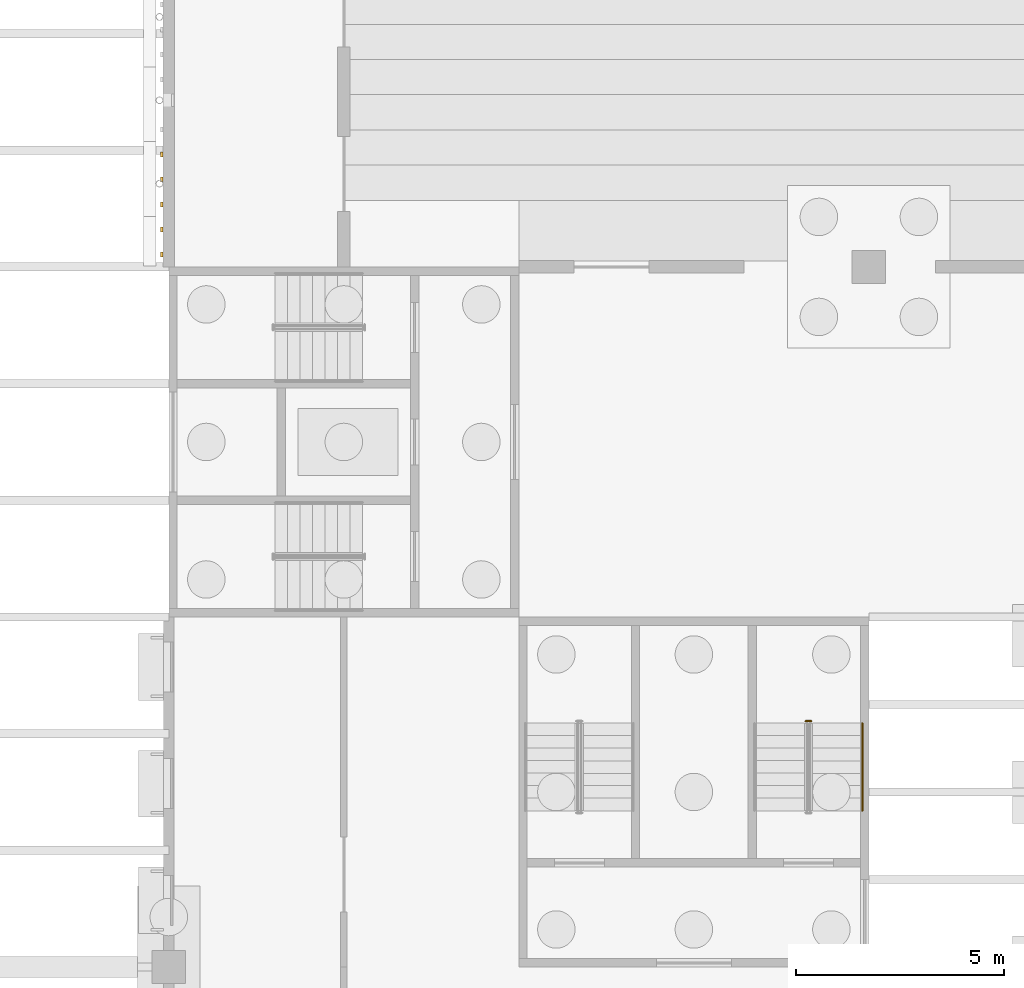
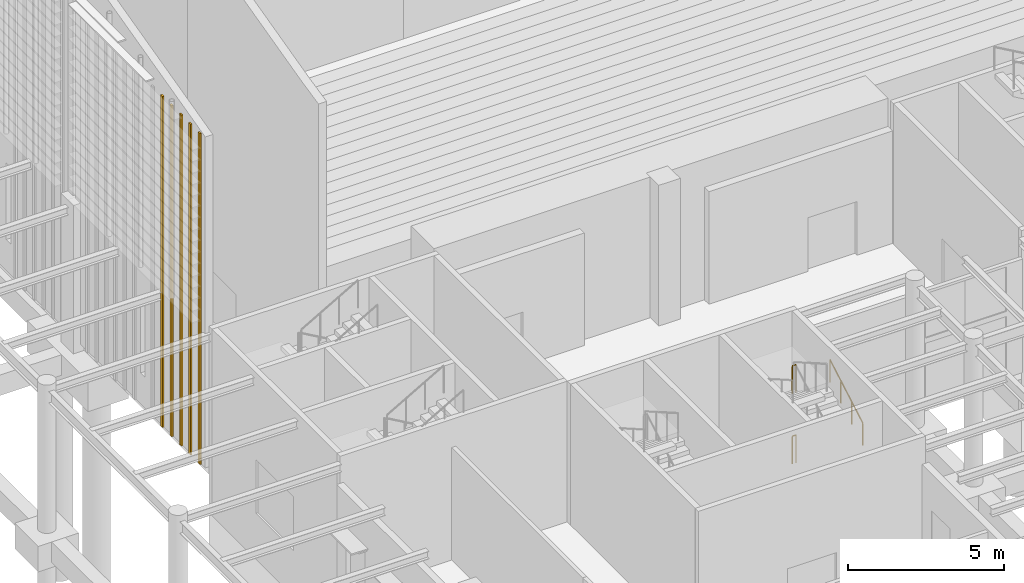
# One storey, part 62 of 82: 5 shading devices, 3 railings.
"""IFC4 building model written with IfcOpenShell, lengths in metres."""

from ifc_helpers import new_model, si_unit, direction, frame, origin, origin_2d, place, context, subcontext, project, spatial, rectangle, circle, extrude, material, material_profile, profile_set, type_object, element, save


model = new_model("IFC4")

# Units and contexts
model_context = context("Model", 3, precision=1e-05, world=origin(), true_north=direction((0.0, 1.0)))
body_context = subcontext(model_context, "Body", "Model", "MODEL_VIEW")
ifc_project = project(units=[si_unit("LENGTHUNIT", "METRE"), si_unit("AREAUNIT", "SQUARE_METRE"), si_unit("VOLUMEUNIT", "CUBIC_METRE"), si_unit("PLANEANGLEUNIT", "RADIAN"), si_unit("MASSUNIT", "GRAM", prefix="KILO")], contexts=[model_context])

# Site, building, storey
site_placement = place(None, origin())
site = spatial("IfcSite", under=ifc_project, at=site_placement, CompositionType="ELEMENT")
building_placement = place(site_placement, origin())
building = spatial("IfcBuilding", under=site, at=building_placement, Name="Almond Square Museum", CompositionType="ELEMENT")
storey_placement = place(building_placement, origin())
storey = spatial("IfcBuildingStorey", under=building, at=storey_placement, Name="L00", CompositionType="ELEMENT", Elevation=0.0)

# Railings
ifc_material_1 = material(Name="Stainless steel and laminated glass", Category="steel")
railing_type_1 = type_object("IfcRailingType", Name="Stair guard 1100 steel and glass", PredefinedType="GUARDRAIL", material=ifc_material_1)
for number, where, name in (
    (1, (21.419921875, 73.10009765625, 1.375), "L00 ST-24 stair guard 2"),
    (2, (21.419921875, 73.10009765625, 4.125), "L00 ST-24 stair guard 6"),
):
    element("IfcRailing", number, at=place(storey_placement, frame(where)), inside=storey, type_object=railing_type_1, Name=name, PredefinedType="GUARDRAIL", context=body_context, shape_type="SweptSolid", body=[
        extrude(circle(Radius=0.02392578125, at=origin_2d()), frame((0.0, 0.0, 1.076171875), z_axis=(-1.0, 0.0, 0.0), x_axis=(0.0, -1.0, 0.0)), (0.0, 0.0, 1.0), 0.139892578125),
        extrude(circle(Radius=0.02099609375, at=origin_2d()), origin(), (0.0, 0.0, 1.0), 1.052001953125),
        extrude(circle(Radius=0.02099609375, at=origin_2d()), frame((-0.139892578125, 0.0, 0.0)), (0.0, 0.0, 1.0), 1.052001953125),
    ])
ifc_material_2 = material(Name="Stainless steel", Category="steel")
railing_type_2 = type_object("IfcRailingType", Name="Stair handrail 900 steel", PredefinedType="HANDRAIL", material=ifc_material_2)
railing_placement = place(storey_placement, frame((22.64501953125, 70.949951171875, 2.921875)))
element("IfcRailing", 3, at=railing_placement, inside=storey, type_object=railing_type_2, Name="L00 ST-24 stair handrail 3", PredefinedType="HANDRAIL", context=body_context, shape_type="SweptSolid", body=[
    extrude(circle(Radius=0.02392578125, at=origin_2d()), frame((0.0, 0.0, 0.8759765625), z_axis=(0.0, 0.867696358075, 0.497094588769), x_axis=(-1.0, 0.0, 0.0)), (0.0, 0.0, 1.0), 2.42041015625),
    extrude(circle(Radius=0.02099609375, at=origin_2d()), origin(), (0.0, 0.0, 1.0), 0.851806640625),
    extrude(circle(Radius=0.02099609375, at=origin_2d()), frame((0.0, 0.699951171875, 0.401123046875)), (0.0, 0.0, 1.0), 0.851806640625),
    extrude(circle(Radius=0.02099609375, at=origin_2d()), frame((0.0, 1.400146484375, 0.802001953125)), (0.0, 0.0, 1.0), 0.851806640625),
    extrude(circle(Radius=0.02099609375, at=origin_2d()), frame((0.0, 2.10009765625, 1.203125)), (0.0, 0.0, 1.0), 0.851806640625),
])

# Shading devices
ifc_material_3 = material(Name="Cedar timber batten", Category="wood")
ifc_material_profile = material_profile(ifc_material_3, rectangle(XDim=0.06005859375, YDim=0.1201171875, at=origin_2d()))
ifc_profile_set = profile_set([ifc_material_profile], Name="Cedar timber batten")
shading_device_type = type_object("IfcShadingDeviceType", Name="Vertical timber batten 60 x 120", PredefinedType="USERDEFINED", material=ifc_profile_set)
for number, where, z_axis, x_axis, name in (
    (4, (5.83203125, 84.300048828125, 0.0), (0.0, 0.0, 1.0), (-1.0, 0.0, 0.0), "Timber batten"),
    (5, (5.83203125, 84.89990234375, 0.0), (0.0, 0.0, 1.0), (-1.0, 0.0, 0.0), "Timber batten"),
    (6, (5.83203125, 85.5, 0.0), (0.0, 0.0, 1.0), (-1.0, 0.0, 0.0), "Timber batten"),
    (7, (5.83203125, 86.10009765625, 0.0), (0.0, 0.0, 1.0), (-1.0, 0.0, 0.0), "Timber batten"),
    (8, (5.83203125, 86.699951171875, 0.0), (0.0, 0.0, 1.0), (-1.0, 0.0, 0.0), "Timber batten"),
):
    element("IfcShadingDevice", number, at=place(storey_placement, frame(where, z_axis=z_axis, x_axis=x_axis)), inside=storey, type_object=shading_device_type, Name=name, ObjectType="FIN", PredefinedType="USERDEFINED", context=body_context, shape_type="SweptSolid", body=[
        extrude(rectangle(XDim=0.06005859375, YDim=0.1201171875, at=origin_2d()), origin(), (0.0, 0.0, 1.0), 12.944091796875),
    ])

save(model, "model.ifc")
